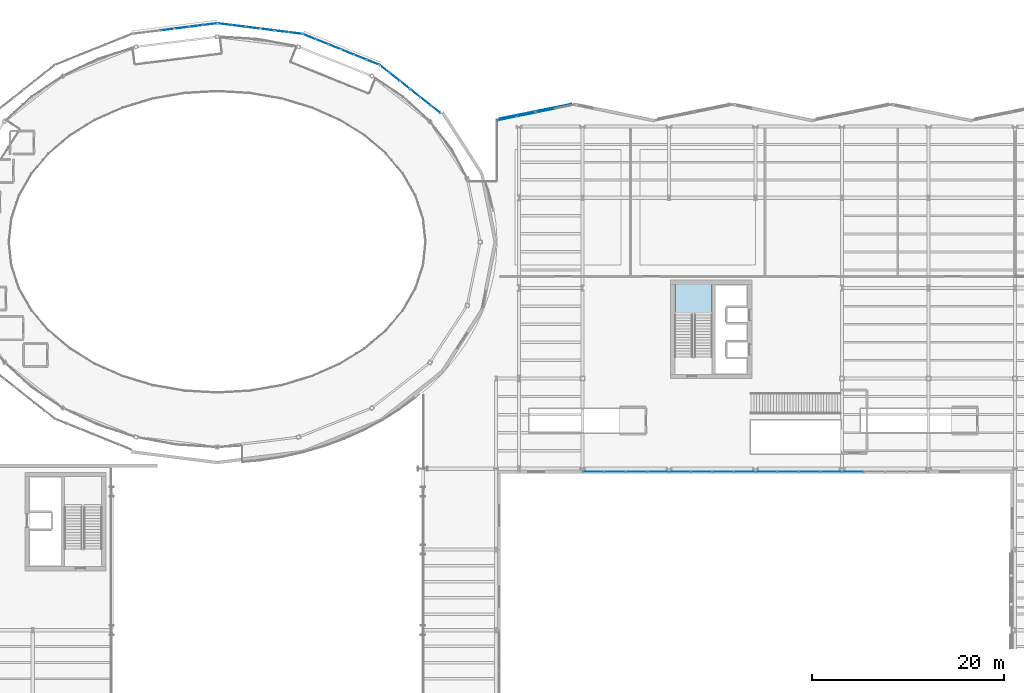
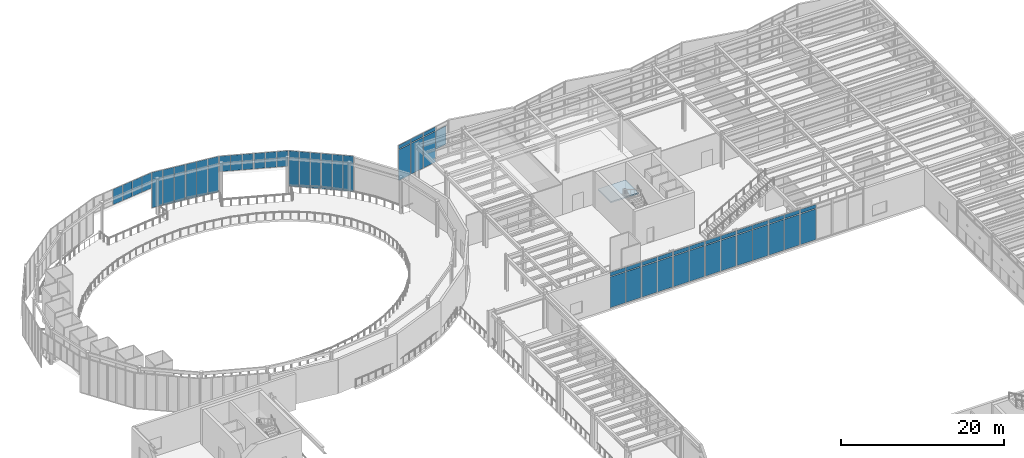
# One storey, part 70 of 98: 55 plates, 1 slab, 18 elements without a shape of their own.
"""IFC4 building model written with IfcOpenShell, lengths in metres."""

import ifcopenshell
import ifcopenshell.guid

model = None  # the IFC model being written
_history = None  # IfcOwnerHistory: only IFC2X3 demands one
_inside = {}  # id of a spatial element -> (the spatial element, [elements in it])
_under = {}  # id of a project, library or spatial element -> (it, [spatial elements below it])
_declared = {}  # id of a project -> (the project, [libraries it declares])
_typed = {}  # id of a type object -> (the type object, [elements of that type])
_made_of = {}  # id of a material, layer set ... -> (it, [elements and type objects made of it])


def new_model(schema):
    """Start an empty IFC model of exactly this schema.

    Asked for "IFC4X3", IfcOpenShell would pick the latest addendum, in which some entities
    have other attributes; the version numbers below select the first issue.
    IFC2X3 requires an IfcOwnerHistory on every rooted entity: one is made here for all.
    """
    global model, _history
    if schema == "IFC4X3":
        model = ifcopenshell.file(schema_version=(4, 3, 0, 0))
    else:
        model = ifcopenshell.file(schema=schema)
    _inside.clear()
    _under.clear()
    _declared.clear()
    _typed.clear()
    _made_of.clear()
    _history = None
    if model.schema == "IFC2X3":
        org = make("IfcOrganization", Name="unknown")
        user = make(
            "IfcPersonAndOrganization",
            ThePerson=make("IfcPerson", FamilyName="unknown"),
            TheOrganization=org,
        )
        app = make(
            "IfcApplication",
            ApplicationDeveloper=org,
            Version="unknown",
            ApplicationFullName="unknown",
            ApplicationIdentifier="unknown",
        )
        _history = make(
            "IfcOwnerHistory",
            OwningUser=user,
            OwningApplication=app,
            ChangeAction="ADDED",
            CreationDate=0,
        )
    return model


def make(cls, **values):
    """One entity of the class cls with the attributes given. An attribute that is None is left unset."""
    return model.create_entity(
        cls, **{name: value for name, value in values.items() if value is not None}
    )


def rooted(cls, **values):
    """An entity with a GlobalId (a new one), such as an element, a storey or a relation."""
    return make(cls, GlobalId=ifcopenshell.guid.new(), OwnerHistory=_history, **values)


def si_unit(unit_type, name, prefix=None):
    """IfcSIUnit, for example si_unit("LENGTHUNIT", "METRE", prefix="MILLI")."""
    return make("IfcSIUnit", UnitType=unit_type, Prefix=prefix, Name=name)


def assignment(units):
    """IfcUnitAssignment: the units of a project."""
    return None if units is None else make("IfcUnitAssignment", Units=units)


def point(xyz):
    """IfcCartesianPoint."""
    return None if xyz is None else make("IfcCartesianPoint", Coordinates=xyz)


def direction(xyz):
    """IfcDirection."""
    return None if xyz is None else make("IfcDirection", DirectionRatios=xyz)


def frame(location, z_axis=None, x_axis=None):
    """IfcAxis2Placement3D, a coordinate frame: its origin and axes. An axis left out is left unset."""
    return make(
        "IfcAxis2Placement3D",
        Location=point(location),
        Axis=direction(z_axis),
        RefDirection=direction(x_axis),
    )


def frame_2d(location, x_axis=None):
    """IfcAxis2Placement2D, a coordinate frame in the plane: its origin and x axis."""
    return make(
        "IfcAxis2Placement2D", Location=point(location), RefDirection=direction(x_axis)
    )


def origin():
    """The frame at (0, 0, 0) with its axes left unset."""
    return frame((0.0, 0.0, 0.0))


def origin_2d():
    """The frame at (0, 0) in the plane with its x axis left unset."""
    return frame_2d((0.0, 0.0))


def place(relative_to, where):
    """IfcLocalPlacement: puts the frame where relative to a parent placement (None: the world)."""
    return make(
        "IfcLocalPlacement", PlacementRelTo=relative_to, RelativePlacement=where
    )


def context(
    kind, dimensions, precision=None, world=None, true_north=None, identifier=None
):
    """IfcGeometricRepresentationContext, for example the 3D "Model" context."""
    return make(
        "IfcGeometricRepresentationContext",
        ContextIdentifier=identifier,
        ContextType=kind,
        CoordinateSpaceDimension=dimensions,
        Precision=precision,
        WorldCoordinateSystem=world,
        TrueNorth=true_north,
    )


def subcontext(parent, identifier, kind, view, scale=None):
    """IfcGeometricRepresentationSubContext, for example "Body" below "Model"."""
    return make(
        "IfcGeometricRepresentationSubContext",
        ContextIdentifier=identifier,
        ContextType=kind,
        ParentContext=parent,
        TargetScale=scale,
        TargetView=view,
    )


def project(units=None, contexts=None):
    """IfcProject with its units and contexts."""
    return rooted(
        "IfcProject",
        Name="project",
        RepresentationContexts=contexts,
        UnitsInContext=assignment(units),
    )


def spatial(cls, under=None, at=None, **own):
    """A site, building, storey or space (cls), placed at a placement, below another one or the project."""
    s = rooted(cls, ObjectPlacement=at, **own)
    if under is not None:
        _under.setdefault(under.id(), (under, []))[1].append(s)
    return s


def polyline(points):
    """IfcPolyline through the points."""
    return make("IfcPolyline", Points=[point(p) for p in points])


def profile(cls, at=None, kind="AREA", **sizes):
    """A parametric profile (cls). Its sizes go by their IFC names, for example OverallWidth=200.0."""
    return make(cls, ProfileType=kind, Position=at, **sizes)


def rectangle(**sizes):
    """IfcRectangleProfileDef."""
    return profile("IfcRectangleProfileDef", **sizes)


def outline(outer, holes=None, kind="AREA"):
    """IfcArbitraryClosedProfileDef: a profile drawn as a closed curve; with holes, ...WithVoids."""
    if holes is None:
        return make("IfcArbitraryClosedProfileDef", ProfileType=kind, OuterCurve=outer)
    return make(
        "IfcArbitraryProfileDefWithVoids",
        ProfileType=kind,
        OuterCurve=outer,
        InnerCurves=holes,
    )


def extrude(swept, where, along, depth):
    """IfcExtrudedAreaSolid: the profile swept, set in the frame where, extruded along a direction by depth."""
    return make(
        "IfcExtrudedAreaSolid",
        SweptArea=swept,
        Position=where,
        ExtrudedDirection=direction(along),
        Depth=depth,
    )


def shape(context_of_items, identifier, shape_type, items):
    """IfcShapeRepresentation: the items that make up one representation, for example the "Body"."""
    return make(
        "IfcShapeRepresentation",
        ContextOfItems=context_of_items,
        RepresentationIdentifier=identifier,
        RepresentationType=shape_type,
        Items=items,
    )


def material(Name=None, Category=None):
    """IfcMaterial."""
    return make("IfcMaterial", Name=Name, Category=Category)


def layer(
    of_material, thickness, ventilated=None, Name=None, Category=None, Priority=None
):
    """IfcMaterialLayer: one layer of a wall or slab, of a material (None: an air gap)."""
    return make(
        "IfcMaterialLayer",
        Material=of_material,
        LayerThickness=thickness,
        IsVentilated=ventilated,
        Name=Name,
        Category=Category,
        Priority=Priority,
    )


def layer_set(layers, Name=None):
    """IfcMaterialLayerSet."""
    return make("IfcMaterialLayerSet", MaterialLayers=layers, LayerSetName=Name)


def made_of(thing, what):
    """Note that an element or type object is made of a material, layer set ...; save() writes the relation."""
    if what is not None:
        _made_of.setdefault(what.id(), (what, []))[1].append(thing)
    return thing


def type_object(cls, material=None, **own):
    """A type object (cls), such as IfcWallType, which elements share."""
    return made_of(rooted(cls, **own), material)


def element(
    cls,
    number,
    at=None,
    inside=None,
    cuts=None,
    type_object=None,
    material=None,
    context=None,
    identifier="Body",
    shape_type=None,
    held_by="IfcProductDefinitionShape",
    body=None,
    shapes=None,
    **own,
):
    """One element of the class cls, such as IfcWall. Its Tag is "e" and its number.

    at: its placement. inside: the storey or other place that contains it. cuts: it is an
    opening in that element (IfcRelVoidsElement). A single representation is given by context,
    identifier, shape_type and body (its items); several are given by shapes. held_by: the class
    of the entity that holds the representations. save() writes the other relations.
    """
    e = rooted(cls, Tag="e%d" % number, ObjectPlacement=at, **own)
    if body is not None:
        shapes = [shape(context, identifier, shape_type, body)]
    if shapes is not None:
        e.Representation = make(held_by, Representations=shapes)
    if inside is not None:
        _inside.setdefault(inside.id(), (inside, []))[1].append(e)
    if cuts is not None:
        rooted(
            "IfcRelVoidsElement", RelatingBuildingElement=cuts, RelatedOpeningElement=e
        )
    if type_object is not None:
        _typed.setdefault(type_object.id(), (type_object, []))[1].append(e)
    return made_of(e, material)


def aggregate(whole, parts):
    """IfcRelAggregates: a whole, such as a stair, and the parts it consists of."""
    return rooted("IfcRelAggregates", RelatingObject=whole, RelatedObjects=parts)


def save(model, path):
    """Write the relations noted so far, then the file.

    IfcRelAggregates (storeys below a building ...), IfcRelContainedInSpatialStructure (elements
    in a storey), IfcRelDefinesByType, IfcRelAssociatesMaterial and IfcRelDeclares: one each for
    every whole, place, type object, material and project.
    """
    for whole, parts in _under.values():
        aggregate(whole, parts)
    for where, things in _inside.values():
        rooted(
            "IfcRelContainedInSpatialStructure",
            RelatedElements=things,
            RelatingStructure=where,
        )
    for kind, things in _typed.values():
        rooted("IfcRelDefinesByType", RelatedObjects=things, RelatingType=kind)
    for what, things in _made_of.values():
        rooted("IfcRelAssociatesMaterial", RelatedObjects=things, RelatingMaterial=what)
    for by, libraries in _declared.values():
        rooted("IfcRelDeclares", RelatingContext=by, RelatedDefinitions=libraries)
    model.write(path)


model = new_model("IFC4")

# Units and contexts
model_context = context("Model", 3, precision=1e-05, world=origin(), true_north=direction((0.0, 1.0)))
body_context = subcontext(model_context, "Body", "Model", "MODEL_VIEW")
ifc_project = project(units=[si_unit("LENGTHUNIT", "METRE"), si_unit("AREAUNIT", "SQUARE_METRE"), si_unit("VOLUMEUNIT", "CUBIC_METRE"), si_unit("PLANEANGLEUNIT", "RADIAN"), si_unit("MASSUNIT", "GRAM", prefix="KILO")], contexts=[model_context])

# Site, building, storey
site_placement = place(None, origin())
site = spatial("IfcSite", under=ifc_project, at=site_placement, CompositionType="ELEMENT")
building_placement = place(site_placement, origin())
building = spatial("IfcBuilding", under=site, at=building_placement, Name="Sollismere Congress Hotel", CompositionType="ELEMENT")
storey_placement = place(building_placement, frame((0.0, 0.0, 5.39990234375)))
storey = spatial("IfcBuildingStorey", under=building, at=storey_placement, Name="L01", CompositionType="ELEMENT", Elevation=5.39990234375)

# Curtain wall, plates
ifc_material_1 = material(Name="Anodized Bronze Curtain Wall & Low-E Triple Glazing", Category="glass")
ifc_layer_1 = layer(ifc_material_1, 0.199951171875, Name="Anodized Bronze Curtain Wall & Low-E Triple Glazing")
ifc_layer_set_1 = layer_set([ifc_layer_1], Name="Anodized Bronze Curtain Wall & Low-E Triple Glazing")
curtain_wall_type = type_object("IfcCurtainWallType", Name="CW-GLZ36", PredefinedType="USERDEFINED", material=ifc_layer_set_1)
curtain_wall_1_placement = place(storey_placement, origin())
curtain_wall_1 = element("IfcCurtainWall", 1, at=curtain_wall_1_placement, inside=storey, type_object=curtain_wall_type, Name="Unitised curtain wall CW-L01-003", ObjectType="UNITISED CURTAIN WALL", PredefinedType="USERDEFINED")
ifc_material_2 = material(Name="Blue-Tinted Solar-Control Low-E Vision Glass", Category="glass")
ifc_layer_2 = layer(ifc_material_2, 0.035888671875, Name="Blue-Tinted Solar-Control Low-E Vision Glass")
ifc_layer_set_2 = layer_set([ifc_layer_2], Name="Blue-Tinted Solar-Control Low-E Vision Glass")
plate_type_1 = type_object("IfcPlateType", Name="PL-CWGLZ", PredefinedType="CURTAIN_PANEL", material=ifc_layer_set_2)
plate_1_placement = place(storey_placement, frame((51.71435546875, 104.203369140625, 0.05322265625), z_axis=(0.0, 0.0, 1.0), x_axis=(-0.784181063891, 0.620532077362, 0.0)))
plate_1 = element("IfcPlate", 2, at=plate_1_placement, type_object=plate_type_1, Name="CWL-CW-L01-003-VP01", PredefinedType="CURTAIN_PANEL", context=body_context, shape_type="SweptSolid", body=[
    extrude(rectangle(XDim=1.2626953125, YDim=0.035888671875, at=origin_2d()), origin(), (0.0, 0.0, 1.0), 5.31396484375),
])
plate_2_placement = place(storey_placement, frame((50.669189453125, 105.0302734375, 0.05322265625), z_axis=(0.0, 0.0, 1.0), x_axis=(-0.784181063891, 0.620532077362, 0.0)))
plate_2 = element("IfcPlate", 3, at=plate_2_placement, type_object=plate_type_1, Name="CWL-CW-L01-003-VP02", PredefinedType="CURTAIN_PANEL", context=body_context, shape_type="SweptSolid", body=[
    extrude(rectangle(XDim=1.30078125, YDim=0.035888671875, at=origin_2d()), origin(), (0.0, 0.0, 1.0), 5.31396484375),
])
plate_3_placement = place(storey_placement, frame((49.623779296875, 105.857421875, 0.05322265625), z_axis=(0.0, 0.0, 1.0), x_axis=(-0.784181063891, 0.620532077362, 0.0)))
plate_3 = element("IfcPlate", 4, at=plate_3_placement, type_object=plate_type_1, Name="CWL-CW-L01-003-VP03", PredefinedType="CURTAIN_PANEL", context=body_context, shape_type="SweptSolid", body=[
    extrude(rectangle(XDim=1.2626953125, YDim=0.035888671875, at=origin_2d()), origin(), (0.0, 0.0, 1.0), 5.31396484375),
])
aggregate(curtain_wall_1, [plate_1, plate_2, plate_3])

curtain_wall_2_placement = place(storey_placement, origin())
curtain_wall_2 = element("IfcCurtainWall", 5, at=curtain_wall_2_placement, inside=storey, type_object=curtain_wall_type, Name="Unitised curtain wall CW-L01-004", ObjectType="UNITISED CURTAIN WALL", PredefinedType="USERDEFINED")
plate_4_placement = place(storey_placement, frame((48.5341796875, 106.7197265625, 0.05322265625), z_axis=(0.0, 0.0, 1.0), x_axis=(-0.784181063891, 0.620532077362, 0.0)))
plate_4 = element("IfcPlate", 6, at=plate_4_placement, type_object=plate_type_1, Name="CWL-CW-L01-004-VP01", PredefinedType="CURTAIN_PANEL", context=body_context, shape_type="SweptSolid", body=[
    extrude(rectangle(XDim=1.2626953125, YDim=0.035888671875, at=origin_2d()), origin(), (0.0, 0.0, 1.0), 5.31396484375),
])
plate_5_placement = place(storey_placement, frame((47.489013671875, 107.546875, 0.05322265625), z_axis=(0.0, 0.0, 1.0), x_axis=(-0.784181063891, 0.620532077362, 0.0)))
plate_5 = element("IfcPlate", 7, at=plate_5_placement, type_object=plate_type_1, Name="CWL-CW-L01-004-VP02", PredefinedType="CURTAIN_PANEL", context=body_context, shape_type="SweptSolid", body=[
    extrude(rectangle(XDim=1.30078125, YDim=0.035888671875, at=origin_2d()), origin(), (0.0, 0.0, 1.0), 5.31396484375),
])
plate_6_placement = place(storey_placement, frame((46.443603515625, 108.373779296875, 0.05322265625), z_axis=(0.0, 0.0, 1.0), x_axis=(-0.784181063891, 0.620532077362, 0.0)))
plate_6 = element("IfcPlate", 8, at=plate_6_placement, type_object=plate_type_1, Name="CWL-CW-L01-004-VP03", PredefinedType="CURTAIN_PANEL", context=body_context, shape_type="SweptSolid", body=[
    extrude(rectangle(XDim=1.2626953125, YDim=0.035888671875, at=origin_2d()), origin(), (0.0, 0.0, 1.0), 5.31396484375),
])
aggregate(curtain_wall_2, [plate_4, plate_5, plate_6])

curtain_wall_3_placement = place(storey_placement, origin())
curtain_wall_3 = element("IfcCurtainWall", 9, at=curtain_wall_3_placement, inside=storey, type_object=curtain_wall_type, Name="Unitised curtain wall CW-L01-007", ObjectType="UNITISED CURTAIN WALL", PredefinedType="USERDEFINED")
plate_7_placement = place(storey_placement, frame((45.21337890625, 109.08154296875, 3.04296875), z_axis=(0.0, 0.0, 1.0), x_axis=(-0.927451680013, 0.373943018709, 0.0)))
plate_7 = element("IfcPlate", 10, at=plate_7_placement, type_object=plate_type_1, Name="CWL-CW-L01-007-VP01", PredefinedType="CURTAIN_PANEL", context=body_context, shape_type="SweptSolid", body=[
    extrude(rectangle(XDim=1.351318359375, YDim=0.035888671875, at=origin_2d()), origin(), (0.0, 0.0, 1.0), 2.323974609375),
])
plate_8_placement = place(storey_placement, frame((43.895263671875, 109.61279296875, 3.04296875), z_axis=(0.0, 0.0, 1.0), x_axis=(-0.927451680013, 0.373943018709, 0.0)))
plate_8 = element("IfcPlate", 11, at=plate_8_placement, type_object=plate_type_1, Name="CWL-CW-L01-007-VP02", PredefinedType="CURTAIN_PANEL", context=body_context, shape_type="SweptSolid", body=[
    extrude(rectangle(XDim=1.389404296875, YDim=0.035888671875, at=origin_2d()), origin(), (0.0, 0.0, 1.0), 2.323974609375),
])
plate_9_placement = place(storey_placement, frame((42.576904296875, 110.144287109375, 3.04296875), z_axis=(0.0, 0.0, 1.0), x_axis=(-0.927451680013, 0.373943018709, 0.0)))
plate_9 = element("IfcPlate", 12, at=plate_9_placement, type_object=plate_type_1, Name="CWL-CW-L01-007-VP03", PredefinedType="CURTAIN_PANEL", context=body_context, shape_type="SweptSolid", body=[
    extrude(rectangle(XDim=1.351318359375, YDim=0.035888671875, at=origin_2d()), origin(), (0.0, 0.0, 1.0), 2.323974609375),
])
aggregate(curtain_wall_3, [plate_7, plate_8, plate_9])

curtain_wall_4_placement = place(storey_placement, origin())
curtain_wall_4 = element("IfcCurtainWall", 13, at=curtain_wall_4_placement, inside=storey, type_object=curtain_wall_type, Name="Unitised curtain wall CW-L01-008", ObjectType="UNITISED CURTAIN WALL", PredefinedType="USERDEFINED")
plate_10_placement = place(storey_placement, frame((41.2060546875, 110.697265625, 3.04296875), z_axis=(0.0, 0.0, 1.0), x_axis=(-0.927451680013, 0.373943018709, 0.0)))
plate_10 = element("IfcPlate", 14, at=plate_10_placement, type_object=plate_type_1, Name="CWL-CW-L01-008-VP01", PredefinedType="CURTAIN_PANEL", context=body_context, shape_type="SweptSolid", body=[
    extrude(rectangle(XDim=1.351318359375, YDim=0.035888671875, at=origin_2d()), origin(), (0.0, 0.0, 1.0), 2.323974609375),
])
plate_11_placement = place(storey_placement, frame((39.887939453125, 111.228759765625, 3.04296875), z_axis=(0.0, 0.0, 1.0), x_axis=(-0.927451680013, 0.373943018709, 0.0)))
plate_11 = element("IfcPlate", 15, at=plate_11_placement, type_object=plate_type_1, Name="CWL-CW-L01-008-VP02", PredefinedType="CURTAIN_PANEL", context=body_context, shape_type="SweptSolid", body=[
    extrude(rectangle(XDim=1.389404296875, YDim=0.035888671875, at=origin_2d()), origin(), (0.0, 0.0, 1.0), 2.323974609375),
])
plate_12_placement = place(storey_placement, frame((38.569580078125, 111.760009765625, 3.04296875), z_axis=(0.0, 0.0, 1.0), x_axis=(-0.927451680013, 0.373943018709, 0.0)))
plate_12 = element("IfcPlate", 16, at=plate_12_placement, type_object=plate_type_1, Name="CWL-CW-L01-008-VP03", PredefinedType="CURTAIN_PANEL", context=body_context, shape_type="SweptSolid", body=[
    extrude(rectangle(XDim=1.351318359375, YDim=0.035888671875, at=origin_2d()), origin(), (0.0, 0.0, 1.0), 2.323974609375),
])
aggregate(curtain_wall_4, [plate_10, plate_11, plate_12])

curtain_wall_5_placement = place(storey_placement, origin())
curtain_wall_5 = element("IfcCurtainWall", 17, at=curtain_wall_5_placement, inside=storey, type_object=curtain_wall_type, Name="Unitised curtain wall CW-L01-013", ObjectType="UNITISED CURTAIN WALL", PredefinedType="USERDEFINED")
plate_13_placement = place(storey_placement, frame((37.125, 112.131591796875, 0.05322265625), z_axis=(0.0, 0.0, 1.0), x_axis=(-0.992236726166, 0.124363496441, 0.0)))
plate_13 = element("IfcPlate", 18, at=plate_13_placement, type_object=plate_type_1, Name="CWL-CW-L01-013-VP01", PredefinedType="CURTAIN_PANEL", context=body_context, shape_type="SweptSolid", body=[
    extrude(rectangle(XDim=1.4033203125, YDim=0.035888671875, at=origin_2d()), origin(), (0.0, 0.0, 1.0), 5.31396484375),
])
plate_14_placement = place(storey_placement, frame((35.6630859375, 112.31494140625, 0.05322265625), z_axis=(0.0, 0.0, 1.0), x_axis=(-0.992236726166, 0.124363496441, 0.0)))
plate_14 = element("IfcPlate", 19, at=plate_14_placement, type_object=plate_type_1, Name="CWL-CW-L01-013-VP02", PredefinedType="CURTAIN_PANEL", context=body_context, shape_type="SweptSolid", body=[
    extrude(rectangle(XDim=1.44140625, YDim=0.035888671875, at=origin_2d()), origin(), (0.0, 0.0, 1.0), 5.31396484375),
])
plate_15_placement = place(storey_placement, frame((34.201416015625, 112.498046875, 0.05322265625), z_axis=(0.0, 0.0, 1.0), x_axis=(-0.992236726166, 0.124363496441, 0.0)))
plate_15 = element("IfcPlate", 20, at=plate_15_placement, type_object=plate_type_1, Name="CWL-CW-L01-013-VP03", PredefinedType="CURTAIN_PANEL", context=body_context, shape_type="SweptSolid", body=[
    extrude(rectangle(XDim=1.4033203125, YDim=0.035888671875, at=origin_2d()), origin(), (0.0, 0.0, 1.0), 5.31396484375),
])
aggregate(curtain_wall_5, [plate_13, plate_14, plate_15])

curtain_wall_6_placement = place(storey_placement, origin())
curtain_wall_6 = element("IfcCurtainWall", 21, at=curtain_wall_6_placement, inside=storey, type_object=curtain_wall_type, Name="Unitised curtain wall CW-L01-014", ObjectType="UNITISED CURTAIN WALL", PredefinedType="USERDEFINED")
plate_16_placement = place(storey_placement, frame((32.682861328125, 112.6884765625, 0.05322265625), z_axis=(0.0, 0.0, 1.0), x_axis=(-0.992236726166, 0.124363496441, 0.0)))
plate_16 = element("IfcPlate", 22, at=plate_16_placement, type_object=plate_type_1, Name="CWL-CW-L01-014-VP01", PredefinedType="CURTAIN_PANEL", context=body_context, shape_type="SweptSolid", body=[
    extrude(rectangle(XDim=1.4033203125, YDim=0.035888671875, at=origin_2d()), origin(), (0.0, 0.0, 1.0), 5.31396484375),
])
plate_17_placement = place(storey_placement, frame((31.220947265625, 112.87158203125, 0.05322265625), z_axis=(0.0, 0.0, 1.0), x_axis=(-0.992236726166, 0.124363496441, 0.0)))
plate_17 = element("IfcPlate", 23, at=plate_17_placement, type_object=plate_type_1, Name="CWL-CW-L01-014-VP02", PredefinedType="CURTAIN_PANEL", context=body_context, shape_type="SweptSolid", body=[
    extrude(rectangle(XDim=1.44140625, YDim=0.035888671875, at=origin_2d()), origin(), (0.0, 0.0, 1.0), 5.31396484375),
])
plate_18_placement = place(storey_placement, frame((29.75927734375, 113.0546875, 0.05322265625), z_axis=(0.0, 0.0, 1.0), x_axis=(-0.992236726166, 0.124363496441, 0.0)))
plate_18 = element("IfcPlate", 24, at=plate_18_placement, type_object=plate_type_1, Name="CWL-CW-L01-014-VP03", PredefinedType="CURTAIN_PANEL", context=body_context, shape_type="SweptSolid", body=[
    extrude(rectangle(XDim=1.4033203125, YDim=0.035888671875, at=origin_2d()), origin(), (0.0, 0.0, 1.0), 5.31396484375),
])
aggregate(curtain_wall_6, [plate_16, plate_17, plate_18])

curtain_wall_7_placement = place(storey_placement, origin())
curtain_wall_7 = element("IfcCurtainWall", 25, at=curtain_wall_7_placement, inside=storey, type_object=curtain_wall_type, Name="Unitised curtain wall CW-L01-017", ObjectType="UNITISED CURTAIN WALL", PredefinedType="USERDEFINED")
plate_19_placement = place(storey_placement, frame((28.24072265625, 113.0546875, 3.04296875), z_axis=(0.0, 0.0, 1.0), x_axis=(-0.992236726166, -0.124363496441, 0.0)))
plate_19 = element("IfcPlate", 26, at=plate_19_placement, type_object=plate_type_1, Name="CWL-CW-L01-017-VP01", PredefinedType="CURTAIN_PANEL", context=body_context, shape_type="SweptSolid", body=[
    extrude(rectangle(XDim=1.4033203125, YDim=0.035888671875, at=origin_2d()), origin(), (0.0, 0.0, 1.0), 2.323974609375),
])
plate_20_placement = place(storey_placement, frame((26.779052734375, 112.87158203125, 3.04296875), z_axis=(0.0, 0.0, 1.0), x_axis=(-0.992236726166, -0.124363496441, 0.0)))
plate_20 = element("IfcPlate", 27, at=plate_20_placement, type_object=plate_type_1, Name="CWL-CW-L01-017-VP02", PredefinedType="CURTAIN_PANEL", context=body_context, shape_type="SweptSolid", body=[
    extrude(rectangle(XDim=1.44140625, YDim=0.035888671875, at=origin_2d()), origin(), (0.0, 0.0, 1.0), 2.323974609375),
])
plate_21_placement = place(storey_placement, frame((25.317138671875, 112.6884765625, 3.04296875), z_axis=(0.0, 0.0, 1.0), x_axis=(-0.992236726166, -0.124363496441, 0.0)))
plate_21 = element("IfcPlate", 28, at=plate_21_placement, type_object=plate_type_1, Name="CWL-CW-L01-017-VP03", PredefinedType="CURTAIN_PANEL", context=body_context, shape_type="SweptSolid", body=[
    extrude(rectangle(XDim=1.4033203125, YDim=0.035888671875, at=origin_2d()), origin(), (0.0, 0.0, 1.0), 2.323974609375),
])
aggregate(curtain_wall_7, [plate_19, plate_20, plate_21])

# Curtain wall, plate
curtain_wall_8_placement = place(storey_placement, origin())
curtain_wall_8 = element("IfcCurtainWall", 29, at=curtain_wall_8_placement, inside=storey, type_object=curtain_wall_type, Name="Unitised curtain wall CW-L01-018", ObjectType="UNITISED CURTAIN WALL", PredefinedType="USERDEFINED")
plate_22_placement = place(storey_placement, frame((23.798583984375, 112.498046875, 3.04296875), z_axis=(0.0, 0.0, 1.0), x_axis=(-0.992236726166, -0.124363496441, 0.0)))
plate_22 = element("IfcPlate", 30, at=plate_22_placement, type_object=plate_type_1, Name="CWL-CW-L01-018-VP01", PredefinedType="CURTAIN_PANEL", context=body_context, shape_type="SweptSolid", body=[
    extrude(rectangle(XDim=1.4033203125, YDim=0.035888671875, at=origin_2d()), origin(), (0.0, 0.0, 1.0), 2.323974609375),
])
aggregate(curtain_wall_8, [plate_22])

# Curtain wall, plates
curtain_wall_9_placement = place(storey_placement, origin())
curtain_wall_9 = element("IfcCurtainWall", 31, at=curtain_wall_9_placement, inside=storey, type_object=curtain_wall_type, Name="Unitised curtain wall CW-L01-081", ObjectType="UNITISED CURTAIN WALL", PredefinedType="USERDEFINED")
plate_23_placement = place(storey_placement, frame((59.13818359375, 103.25146484375, 0.05322265625), z_axis=(0.0, 0.0, 1.0), x_axis=(0.979924704621, 0.199367934417, 0.0)))
plate_23 = element("IfcPlate", 32, at=plate_23_placement, type_object=plate_type_1, Name="CWL-CW-L01-081-VP01", PredefinedType="CURTAIN_PANEL", context=body_context, shape_type="SweptSolid", body=[
    extrude(rectangle(XDim=1.955810546875, YDim=0.035888671875, at=origin_2d()), origin(), (0.0, 0.0, 1.0), 4.60888671875),
])
plate_24_placement = place(storey_placement, frame((61.1044921875, 103.651611328125, 0.05322265625), z_axis=(0.0, 0.0, 1.0), x_axis=(0.979924704621, 0.199367934417, 0.0)))
plate_24 = element("IfcPlate", 33, at=plate_24_placement, type_object=plate_type_1, Name="CWL-CW-L01-081-VP02", PredefinedType="CURTAIN_PANEL", context=body_context, shape_type="SweptSolid", body=[
    extrude(rectangle(XDim=1.955810546875, YDim=0.035888671875, at=origin_2d()), origin(), (0.0, 0.0, 1.0), 4.60888671875),
])

# Curtain wall, plate
curtain_wall_10_placement = place(storey_placement, origin())
curtain_wall_10 = element("IfcCurtainWall", 34, at=curtain_wall_10_placement, inside=storey, type_object=curtain_wall_type, Name="Unitised curtain wall CW-L01-082", ObjectType="UNITISED CURTAIN WALL", PredefinedType="USERDEFINED")
plate_25_placement = place(storey_placement, frame((63.1455078125, 104.06689453125, 0.05322265625), z_axis=(0.0, 0.0, 1.0), x_axis=(0.979924704621, 0.199367934417, 0.0)))
plate_25 = element("IfcPlate", 35, at=plate_25_placement, type_object=plate_type_1, Name="CWL-CW-L01-082-VP01", PredefinedType="CURTAIN_PANEL", context=body_context, shape_type="SweptSolid", body=[
    extrude(rectangle(XDim=1.955810546875, YDim=0.035888671875, at=origin_2d()), origin(), (0.0, 0.0, 1.0), 4.60888671875),
])

# Curtain wall, plates
curtain_wall_11_placement = place(storey_placement, origin())
curtain_wall_11 = element("IfcCurtainWall", 36, at=curtain_wall_11_placement, inside=storey, type_object=curtain_wall_type, Name="Unitised curtain wall CW-L01-089", ObjectType="UNITISED CURTAIN WALL", PredefinedType="USERDEFINED")
plate_26_placement = place(storey_placement, frame((68.151611328125, 66.489990234375, 0.05322265625), z_axis=(0.0, 0.0, 1.0), x_axis=(1.0, 0.0, 0.0)))
plate_26 = element("IfcPlate", 37, at=plate_26_placement, type_object=plate_type_1, Name="CWL-CW-L01-089-VP01", PredefinedType="CURTAIN_PANEL", context=body_context, shape_type="SweptSolid", body=[
    extrude(rectangle(XDim=2.156005859375, YDim=0.035888671875, at=origin_2d()), origin(), (0.0, 0.0, 1.0), 4.60888671875),
])
plate_27_placement = place(storey_placement, frame((70.3583984375, 66.489990234375, 0.05322265625), z_axis=(0.0, 0.0, 1.0), x_axis=(1.0, 0.0, 0.0)))
plate_27 = element("IfcPlate", 38, at=plate_27_placement, type_object=plate_type_1, Name="CWL-CW-L01-089-VP02", PredefinedType="CURTAIN_PANEL", context=body_context, shape_type="SweptSolid", body=[
    extrude(rectangle(XDim=2.156005859375, YDim=0.035888671875, at=origin_2d()), origin(), (0.0, 0.0, 1.0), 4.60888671875),
])

curtain_wall_12_placement = place(storey_placement, origin())
curtain_wall_12 = element("IfcCurtainWall", 39, at=curtain_wall_12_placement, inside=storey, type_object=curtain_wall_type, Name="Unitised curtain wall CW-L01-090", ObjectType="UNITISED CURTAIN WALL", PredefinedType="USERDEFINED")
plate_28_placement = place(storey_placement, frame((72.6416015625, 66.489990234375, 0.05322265625), z_axis=(0.0, 0.0, 1.0), x_axis=(1.0, 0.0, 0.0)))
plate_28 = element("IfcPlate", 40, at=plate_28_placement, type_object=plate_type_1, Name="CWL-CW-L01-090-VP01", PredefinedType="CURTAIN_PANEL", context=body_context, shape_type="SweptSolid", body=[
    extrude(rectangle(XDim=2.156005859375, YDim=0.035888671875, at=origin_2d()), origin(), (0.0, 0.0, 1.0), 4.60888671875),
])
plate_29_placement = place(storey_placement, frame((74.848388671875, 66.489990234375, 0.05322265625), z_axis=(0.0, 0.0, 1.0), x_axis=(1.0, 0.0, 0.0)))
plate_29 = element("IfcPlate", 41, at=plate_29_placement, type_object=plate_type_1, Name="CWL-CW-L01-090-VP02", PredefinedType="CURTAIN_PANEL", context=body_context, shape_type="SweptSolid", body=[
    extrude(rectangle(XDim=2.156005859375, YDim=0.035888671875, at=origin_2d()), origin(), (0.0, 0.0, 1.0), 4.60888671875),
])

curtain_wall_13_placement = place(storey_placement, origin())
curtain_wall_13 = element("IfcCurtainWall", 42, at=curtain_wall_13_placement, inside=storey, type_object=curtain_wall_type, Name="Unitised curtain wall CW-L01-091", ObjectType="UNITISED CURTAIN WALL", PredefinedType="USERDEFINED")
plate_30_placement = place(storey_placement, frame((77.151611328125, 66.489990234375, 0.05322265625), z_axis=(0.0, 0.0, 1.0), x_axis=(1.0, 0.0, 0.0)))
plate_30 = element("IfcPlate", 43, at=plate_30_placement, type_object=plate_type_1, Name="CWL-CW-L01-091-VP01", PredefinedType="CURTAIN_PANEL", context=body_context, shape_type="SweptSolid", body=[
    extrude(rectangle(XDim=2.156005859375, YDim=0.035888671875, at=origin_2d()), origin(), (0.0, 0.0, 1.0), 4.60888671875),
])
plate_31_placement = place(storey_placement, frame((79.3583984375, 66.489990234375, 0.05322265625), z_axis=(0.0, 0.0, 1.0), x_axis=(1.0, 0.0, 0.0)))
plate_31 = element("IfcPlate", 44, at=plate_31_placement, type_object=plate_type_1, Name="CWL-CW-L01-091-VP02", PredefinedType="CURTAIN_PANEL", context=body_context, shape_type="SweptSolid", body=[
    extrude(rectangle(XDim=2.156005859375, YDim=0.035888671875, at=origin_2d()), origin(), (0.0, 0.0, 1.0), 4.60888671875),
])

curtain_wall_14_placement = place(storey_placement, origin())
curtain_wall_14 = element("IfcCurtainWall", 45, at=curtain_wall_14_placement, inside=storey, type_object=curtain_wall_type, Name="Unitised curtain wall CW-L01-092", ObjectType="UNITISED CURTAIN WALL", PredefinedType="USERDEFINED")
plate_32_placement = place(storey_placement, frame((81.6416015625, 66.489990234375, 0.05322265625), z_axis=(0.0, 0.0, 1.0), x_axis=(1.0, 0.0, 0.0)))
plate_32 = element("IfcPlate", 46, at=plate_32_placement, type_object=plate_type_1, Name="CWL-CW-L01-092-VP01", PredefinedType="CURTAIN_PANEL", context=body_context, shape_type="SweptSolid", body=[
    extrude(rectangle(XDim=2.156005859375, YDim=0.035888671875, at=origin_2d()), origin(), (0.0, 0.0, 1.0), 4.60888671875),
])
plate_33_placement = place(storey_placement, frame((83.848388671875, 66.489990234375, 0.05322265625), z_axis=(0.0, 0.0, 1.0), x_axis=(1.0, 0.0, 0.0)))
plate_33 = element("IfcPlate", 47, at=plate_33_placement, type_object=plate_type_1, Name="CWL-CW-L01-092-VP02", PredefinedType="CURTAIN_PANEL", context=body_context, shape_type="SweptSolid", body=[
    extrude(rectangle(XDim=2.156005859375, YDim=0.035888671875, at=origin_2d()), origin(), (0.0, 0.0, 1.0), 4.60888671875),
])

curtain_wall_15_placement = place(storey_placement, origin())
curtain_wall_15 = element("IfcCurtainWall", 48, at=curtain_wall_15_placement, inside=storey, type_object=curtain_wall_type, Name="Unitised curtain wall CW-L01-093", ObjectType="UNITISED CURTAIN WALL", PredefinedType="USERDEFINED")
plate_34_placement = place(storey_placement, frame((86.151611328125, 66.489990234375, 0.05322265625), z_axis=(0.0, 0.0, 1.0), x_axis=(1.0, 0.0, 0.0)))
plate_34 = element("IfcPlate", 49, at=plate_34_placement, type_object=plate_type_1, Name="CWL-CW-L01-093-VP01", PredefinedType="CURTAIN_PANEL", context=body_context, shape_type="SweptSolid", body=[
    extrude(rectangle(XDim=2.156005859375, YDim=0.035888671875, at=origin_2d()), origin(), (0.0, 0.0, 1.0), 4.60888671875),
])
plate_35_placement = place(storey_placement, frame((88.3583984375, 66.489990234375, 0.05322265625), z_axis=(0.0, 0.0, 1.0), x_axis=(1.0, 0.0, 0.0)))
plate_35 = element("IfcPlate", 50, at=plate_35_placement, type_object=plate_type_1, Name="CWL-CW-L01-093-VP02", PredefinedType="CURTAIN_PANEL", context=body_context, shape_type="SweptSolid", body=[
    extrude(rectangle(XDim=2.156005859375, YDim=0.035888671875, at=origin_2d()), origin(), (0.0, 0.0, 1.0), 4.60888671875),
])

curtain_wall_16_placement = place(storey_placement, origin())
curtain_wall_16 = element("IfcCurtainWall", 51, at=curtain_wall_16_placement, inside=storey, type_object=curtain_wall_type, Name="Unitised curtain wall CW-L01-094", ObjectType="UNITISED CURTAIN WALL", PredefinedType="USERDEFINED")
plate_36_placement = place(storey_placement, frame((90.6416015625, 66.489990234375, 0.05322265625), z_axis=(0.0, 0.0, 1.0), x_axis=(1.0, 0.0, 0.0)))
plate_36 = element("IfcPlate", 52, at=plate_36_placement, type_object=plate_type_1, Name="CWL-CW-L01-094-VP01", PredefinedType="CURTAIN_PANEL", context=body_context, shape_type="SweptSolid", body=[
    extrude(rectangle(XDim=2.156005859375, YDim=0.035888671875, at=origin_2d()), origin(), (0.0, 0.0, 1.0), 4.60888671875),
])
plate_37_placement = place(storey_placement, frame((92.848388671875, 66.489990234375, 0.05322265625), z_axis=(0.0, 0.0, 1.0), x_axis=(1.0, 0.0, 0.0)))
plate_37 = element("IfcPlate", 53, at=plate_37_placement, type_object=plate_type_1, Name="CWL-CW-L01-094-VP02", PredefinedType="CURTAIN_PANEL", context=body_context, shape_type="SweptSolid", body=[
    extrude(rectangle(XDim=2.156005859375, YDim=0.035888671875, at=origin_2d()), origin(), (0.0, 0.0, 1.0), 4.60888671875),
])

# Curtain wall, plate
curtain_wall_17_placement = place(storey_placement, origin())
curtain_wall_17 = element("IfcCurtainWall", 54, at=curtain_wall_17_placement, inside=storey, type_object=curtain_wall_type, Name="Unitised curtain wall CW-L01-095", ObjectType="UNITISED CURTAIN WALL", PredefinedType="USERDEFINED")
plate_38_placement = place(storey_placement, frame((95.151611328125, 66.489990234375, 0.05322265625), z_axis=(0.0, 0.0, 1.0), x_axis=(1.0, 0.0, 0.0)))
plate_38 = element("IfcPlate", 55, at=plate_38_placement, type_object=plate_type_1, Name="CWL-CW-L01-095-VP01", PredefinedType="CURTAIN_PANEL", context=body_context, shape_type="SweptSolid", body=[
    extrude(rectangle(XDim=2.156005859375, YDim=0.035888671875, at=origin_2d()), origin(), (0.0, 0.0, 1.0), 4.60888671875),
])

# Plate
ifc_material_3 = material(Name="Anodized Bronze Insulated Spandrel Panel")
ifc_layer_3 = layer(ifc_material_3, 0.044921875, Name="Anodized Bronze Insulated Spandrel Panel")
ifc_layer_set_3 = layer_set([ifc_layer_3], Name="Anodized Bronze Insulated Spandrel Panel")
plate_type_2 = type_object("IfcPlateType", Name="PL-CWSPN", PredefinedType="SHEET", material=ifc_layer_set_3)
plate_39_placement = place(storey_placement, frame((59.13818359375, 103.25146484375, 4.77783203125), z_axis=(0.0, 0.0, 1.0), x_axis=(0.979924704621, 0.199367934417, 0.0)))
plate_39 = element("IfcPlate", 56, at=plate_39_placement, type_object=plate_type_2, Name="CWL-CW-L01-081-SP01", PredefinedType="SHEET", context=body_context, shape_type="SweptSolid", body=[
    extrude(rectangle(XDim=1.955810546875, YDim=0.044921875, at=origin_2d()), origin(), (0.0, 0.0, 1.0), 0.569091796875),
])

plate_40_placement = place(storey_placement, frame((61.1044921875, 103.651611328125, 4.77783203125), z_axis=(0.0, 0.0, 1.0), x_axis=(0.979924704621, 0.199367934417, 0.0)))
plate_40 = element("IfcPlate", 57, at=plate_40_placement, type_object=plate_type_2, Name="CWL-CW-L01-081-SP02", PredefinedType="SHEET", context=body_context, shape_type="SweptSolid", body=[
    extrude(rectangle(XDim=1.955810546875, YDim=0.044921875, at=origin_2d()), origin(), (0.0, 0.0, 1.0), 0.569091796875),
])

aggregate(curtain_wall_9, [plate_23, plate_39, plate_24, plate_40])

plate_41_placement = place(storey_placement, frame((63.1455078125, 104.06689453125, 4.77783203125), z_axis=(0.0, 0.0, 1.0), x_axis=(0.979924704621, 0.199367934417, 0.0)))
plate_41 = element("IfcPlate", 58, at=plate_41_placement, type_object=plate_type_2, Name="CWL-CW-L01-082-SP01", PredefinedType="SHEET", context=body_context, shape_type="SweptSolid", body=[
    extrude(rectangle(XDim=1.955810546875, YDim=0.044921875, at=origin_2d()), origin(), (0.0, 0.0, 1.0), 0.569091796875),
])

aggregate(curtain_wall_10, [plate_25, plate_41])

plate_42_placement = place(storey_placement, frame((68.151611328125, 66.489990234375, 4.77783203125), z_axis=(0.0, 0.0, 1.0), x_axis=(1.0, 0.0, 0.0)))
plate_42 = element("IfcPlate", 59, at=plate_42_placement, type_object=plate_type_2, Name="CWL-CW-L01-089-SP01", PredefinedType="SHEET", context=body_context, shape_type="SweptSolid", body=[
    extrude(rectangle(XDim=2.156005859375, YDim=0.044921875, at=origin_2d()), origin(), (0.0, 0.0, 1.0), 0.569091796875),
])

plate_43_placement = place(storey_placement, frame((70.3583984375, 66.489990234375, 4.77783203125), z_axis=(0.0, 0.0, 1.0), x_axis=(1.0, 0.0, 0.0)))
plate_43 = element("IfcPlate", 60, at=plate_43_placement, type_object=plate_type_2, Name="CWL-CW-L01-089-SP02", PredefinedType="SHEET", context=body_context, shape_type="SweptSolid", body=[
    extrude(rectangle(XDim=2.156005859375, YDim=0.044921875, at=origin_2d()), origin(), (0.0, 0.0, 1.0), 0.569091796875),
])

aggregate(curtain_wall_11, [plate_26, plate_42, plate_27, plate_43])

plate_44_placement = place(storey_placement, frame((72.6416015625, 66.489990234375, 4.77783203125), z_axis=(0.0, 0.0, 1.0), x_axis=(1.0, 0.0, 0.0)))
plate_44 = element("IfcPlate", 61, at=plate_44_placement, type_object=plate_type_2, Name="CWL-CW-L01-090-SP01", PredefinedType="SHEET", context=body_context, shape_type="SweptSolid", body=[
    extrude(rectangle(XDim=2.156005859375, YDim=0.044921875, at=origin_2d()), origin(), (0.0, 0.0, 1.0), 0.569091796875),
])

plate_45_placement = place(storey_placement, frame((74.848388671875, 66.489990234375, 4.77783203125), z_axis=(0.0, 0.0, 1.0), x_axis=(1.0, 0.0, 0.0)))
plate_45 = element("IfcPlate", 62, at=plate_45_placement, type_object=plate_type_2, Name="CWL-CW-L01-090-SP02", PredefinedType="SHEET", context=body_context, shape_type="SweptSolid", body=[
    extrude(rectangle(XDim=2.156005859375, YDim=0.044921875, at=origin_2d()), origin(), (0.0, 0.0, 1.0), 0.569091796875),
])

aggregate(curtain_wall_12, [plate_28, plate_44, plate_29, plate_45])

plate_46_placement = place(storey_placement, frame((77.151611328125, 66.489990234375, 4.77783203125), z_axis=(0.0, 0.0, 1.0), x_axis=(1.0, 0.0, 0.0)))
plate_46 = element("IfcPlate", 63, at=plate_46_placement, type_object=plate_type_2, Name="CWL-CW-L01-091-SP01", PredefinedType="SHEET", context=body_context, shape_type="SweptSolid", body=[
    extrude(rectangle(XDim=2.156005859375, YDim=0.044921875, at=origin_2d()), origin(), (0.0, 0.0, 1.0), 0.569091796875),
])

plate_47_placement = place(storey_placement, frame((79.3583984375, 66.489990234375, 4.77783203125), z_axis=(0.0, 0.0, 1.0), x_axis=(1.0, 0.0, 0.0)))
plate_47 = element("IfcPlate", 64, at=plate_47_placement, type_object=plate_type_2, Name="CWL-CW-L01-091-SP02", PredefinedType="SHEET", context=body_context, shape_type="SweptSolid", body=[
    extrude(rectangle(XDim=2.156005859375, YDim=0.044921875, at=origin_2d()), origin(), (0.0, 0.0, 1.0), 0.569091796875),
])

aggregate(curtain_wall_13, [plate_30, plate_46, plate_31, plate_47])

plate_48_placement = place(storey_placement, frame((81.6416015625, 66.489990234375, 4.77783203125), z_axis=(0.0, 0.0, 1.0), x_axis=(1.0, 0.0, 0.0)))
plate_48 = element("IfcPlate", 65, at=plate_48_placement, type_object=plate_type_2, Name="CWL-CW-L01-092-SP01", PredefinedType="SHEET", context=body_context, shape_type="SweptSolid", body=[
    extrude(rectangle(XDim=2.156005859375, YDim=0.044921875, at=origin_2d()), origin(), (0.0, 0.0, 1.0), 0.569091796875),
])

plate_49_placement = place(storey_placement, frame((83.848388671875, 66.489990234375, 4.77783203125), z_axis=(0.0, 0.0, 1.0), x_axis=(1.0, 0.0, 0.0)))
plate_49 = element("IfcPlate", 66, at=plate_49_placement, type_object=plate_type_2, Name="CWL-CW-L01-092-SP02", PredefinedType="SHEET", context=body_context, shape_type="SweptSolid", body=[
    extrude(rectangle(XDim=2.156005859375, YDim=0.044921875, at=origin_2d()), origin(), (0.0, 0.0, 1.0), 0.569091796875),
])

aggregate(curtain_wall_14, [plate_32, plate_48, plate_33, plate_49])

plate_50_placement = place(storey_placement, frame((86.151611328125, 66.489990234375, 4.77783203125), z_axis=(0.0, 0.0, 1.0), x_axis=(1.0, 0.0, 0.0)))
plate_50 = element("IfcPlate", 67, at=plate_50_placement, type_object=plate_type_2, Name="CWL-CW-L01-093-SP01", PredefinedType="SHEET", context=body_context, shape_type="SweptSolid", body=[
    extrude(rectangle(XDim=2.156005859375, YDim=0.044921875, at=origin_2d()), origin(), (0.0, 0.0, 1.0), 0.569091796875),
])

plate_51_placement = place(storey_placement, frame((88.3583984375, 66.489990234375, 4.77783203125), z_axis=(0.0, 0.0, 1.0), x_axis=(1.0, 0.0, 0.0)))
plate_51 = element("IfcPlate", 68, at=plate_51_placement, type_object=plate_type_2, Name="CWL-CW-L01-093-SP02", PredefinedType="SHEET", context=body_context, shape_type="SweptSolid", body=[
    extrude(rectangle(XDim=2.156005859375, YDim=0.044921875, at=origin_2d()), origin(), (0.0, 0.0, 1.0), 0.569091796875),
])

aggregate(curtain_wall_15, [plate_34, plate_50, plate_35, plate_51])

plate_52_placement = place(storey_placement, frame((90.6416015625, 66.489990234375, 4.77783203125), z_axis=(0.0, 0.0, 1.0), x_axis=(1.0, 0.0, 0.0)))
plate_52 = element("IfcPlate", 69, at=plate_52_placement, type_object=plate_type_2, Name="CWL-CW-L01-094-SP01", PredefinedType="SHEET", context=body_context, shape_type="SweptSolid", body=[
    extrude(rectangle(XDim=2.156005859375, YDim=0.044921875, at=origin_2d()), origin(), (0.0, 0.0, 1.0), 0.569091796875),
])

plate_53_placement = place(storey_placement, frame((92.848388671875, 66.489990234375, 4.77783203125), z_axis=(0.0, 0.0, 1.0), x_axis=(1.0, 0.0, 0.0)))
plate_53 = element("IfcPlate", 70, at=plate_53_placement, type_object=plate_type_2, Name="CWL-CW-L01-094-SP02", PredefinedType="SHEET", context=body_context, shape_type="SweptSolid", body=[
    extrude(rectangle(XDim=2.156005859375, YDim=0.044921875, at=origin_2d()), origin(), (0.0, 0.0, 1.0), 0.569091796875),
])

aggregate(curtain_wall_16, [plate_36, plate_52, plate_37, plate_53])

plate_54_placement = place(storey_placement, frame((95.151611328125, 66.489990234375, 4.77783203125), z_axis=(0.0, 0.0, 1.0), x_axis=(1.0, 0.0, 0.0)))
plate_54 = element("IfcPlate", 71, at=plate_54_placement, type_object=plate_type_2, Name="CWL-CW-L01-095-SP01", PredefinedType="SHEET", context=body_context, shape_type="SweptSolid", body=[
    extrude(rectangle(XDim=2.156005859375, YDim=0.044921875, at=origin_2d()), origin(), (0.0, 0.0, 1.0), 0.569091796875),
])

aggregate(curtain_wall_17, [plate_38, plate_54])

ifc_material_4 = material(Name="Perforated Architectural Bronze Sebeke Screen")
ifc_layer_4 = layer(ifc_material_4, 0.0380859375, Name="Perforated Architectural Bronze Sebeke Screen")
ifc_layer_set_4 = layer_set([ifc_layer_4], Name="Perforated Architectural Bronze Sebeke Screen")
plate_type_3 = type_object("IfcPlateType", Name="PL-SBK32", PredefinedType="USERDEFINED", material=ifc_layer_set_4)
plate_55_placement = place(storey_placement, frame((62.10107421875, 103.976806640625, 1.7919921875), z_axis=(0.0, 0.0, 1.0), x_axis=(0.979924704621, 0.199367934417, 0.0)))
element("IfcPlate", 72, at=plate_55_placement, inside=storey, type_object=plate_type_3, Name="PLT-SBK-006", ObjectType="PERFORATED SCREEN", PredefinedType="USERDEFINED", context=body_context, shape_type="SweptSolid", body=[
    extrude(rectangle(XDim=7.618896484375, YDim=0.0380859375, at=origin_2d()), origin(), (0.0, 0.0, 1.0), 2.764892578125),
])

# Stair, slab
ifc_material_5 = material(Name="Concrete C40/50", Category="concrete")
stair_type = type_object("IfcStairType", Name="STR-DL-540", PredefinedType="HALF_TURN_STAIR", material=ifc_material_5)
stair_placement = place(storey_placement, origin())
stair = element("IfcStair", 73, at=stair_placement, inside=storey, type_object=stair_type, Name="Protected exit stair ST-04-L01", PredefinedType="HALF_TURN_STAIR")
ifc_layer_5 = layer(ifc_material_5, 0.199951171875, Name="Concrete C40/50")
ifc_layer_set_5 = layer_set([ifc_layer_5], Name="Concrete C40/50")
slab_type = type_object("IfcSlabType", Name="SL-LND200", PredefinedType="LANDING", material=ifc_layer_set_5)
slab_placement = place(storey_placement, frame((0.0, 0.0, 2.5)))
slab = element("IfcSlab", 74, at=slab_placement, type_object=slab_type, Name="Exit stair half-landing ST-04-L01-L1", PredefinedType="LANDING", context=body_context, shape_type="SweptSolid", body=[
    extrude(outline(polyline([(80.5, 82.800048828125), (80.5, 86.0), (76.60009765625, 86.0), (76.60009765625, 82.800048828125), (80.5, 82.800048828125)])), origin(), (0.0, 0.0, 1.0), 0.2001953125),
])
aggregate(stair, [slab])

save(model, "model.ifc")
